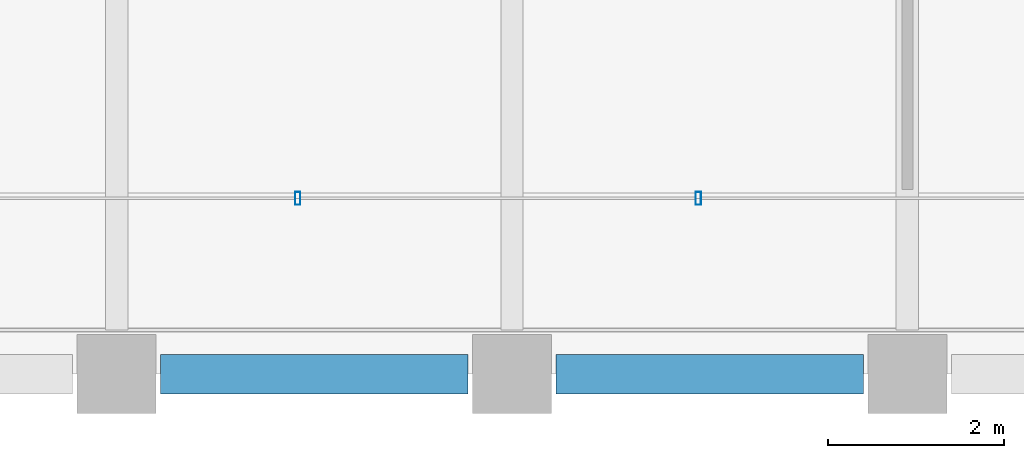
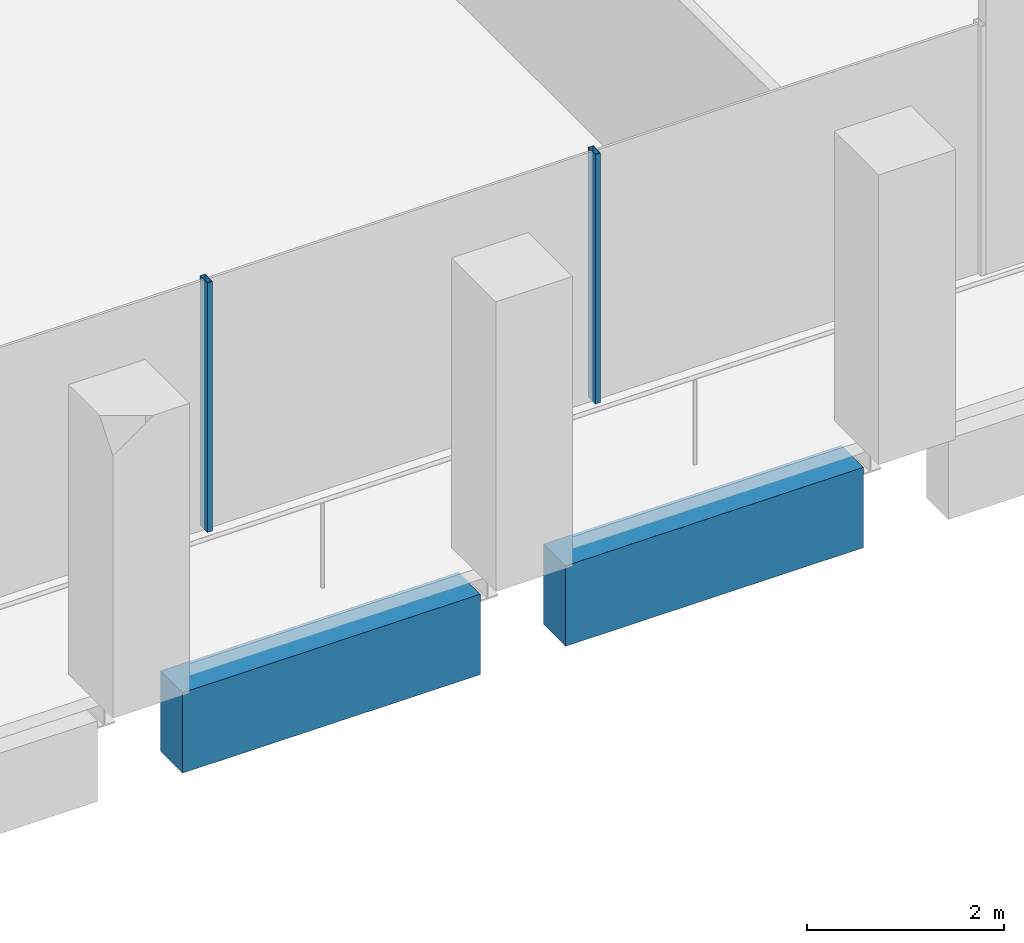
# One storey, part 3 of 44: 2 beams, 2 members, 1 element without a shape of its own.
"""IFC4 building model written with IfcOpenShell, lengths in metres."""

from ifc_helpers import new_model, si_unit, direction, frame, origin, origin_2d, place, context, subcontext, project, spatial, rectangle, hollow_rectangle, extrude, material, material_profile, profile_set, type_object, element, aggregate, save


model = new_model("IFC4")

# Units and contexts
model_context = context("Model", 3, precision=1e-05, world=origin(), true_north=direction((0.0, 1.0)))
body_context = subcontext(model_context, "Body", "Model", "MODEL_VIEW")
ifc_project = project(units=[si_unit("LENGTHUNIT", "METRE"), si_unit("AREAUNIT", "SQUARE_METRE"), si_unit("VOLUMEUNIT", "CUBIC_METRE"), si_unit("PLANEANGLEUNIT", "RADIAN"), si_unit("MASSUNIT", "GRAM", prefix="KILO")], contexts=[model_context])

# Site, building, storey
site_placement = place(None, origin())
site = spatial("IfcSite", under=ifc_project, at=site_placement, CompositionType="ELEMENT")
building_placement = place(site_placement, origin())
building = spatial("IfcBuilding", under=site, at=building_placement, Name="Altepetl Exchange Towers", CompositionType="ELEMENT")
storey_placement = place(building_placement, frame((0.0, 0.0, 143.800048828125)))
storey = spatial("IfcBuildingStorey", under=building, at=storey_placement, Name="L35", CompositionType="ELEMENT", Elevation=143.800048828125)

# Curtain wall, members
ifc_material_1 = material(Name="Aluminium 6063-T6 glazing", Category="aluminium")
curtain_wall_type = type_object("IfcCurtainWallType", Name="Loggia glazing system", PredefinedType="NOTDEFINED", material=ifc_material_1)
curtain_wall_placement = place(storey_placement, origin())
curtain_wall = element("IfcCurtainWall", 1, at=curtain_wall_placement, inside=storey, type_object=curtain_wall_type, Name="CW1 run", PredefinedType="NOTDEFINED")
ifc_material_2 = material(Name="Aluminium 6063-T6", Category="aluminium")
ifc_material_profile_1 = material_profile(ifc_material_2, hollow_rectangle(XDim=0.06005859375, YDim=0.14990234375, WallThickness=0.0029296875, at=origin_2d()), Name="Mullion 60x150 aluminium")
ifc_profile_set_1 = profile_set([ifc_material_profile_1], Name="Aluminium 6063-T6")
member_type = type_object("IfcMemberType", Name="Mullion 60x150 aluminium", PredefinedType="MULLION", material=ifc_profile_set_1)
member_1_placement = place(storey_placement, frame((38.060791015625, 29.0, 0.0)))
member_1 = element("IfcMember", 2, at=member_1_placement, type_object=member_type, Name="MU1 mullion", PredefinedType="MULLION", context=body_context, shape_type="SweptSolid", body=[
    extrude(hollow_rectangle(XDim=0.06005859375, YDim=0.14990234375, WallThickness=0.0029296875, at=origin_2d()), origin(), (0.0, 0.0, 1.0), 3.099853515625),
])
member_2_placement = place(storey_placement, frame((42.621337890625, 29.0, 0.0)))
member_2 = element("IfcMember", 3, at=member_2_placement, type_object=member_type, Name="MU1 mullion", PredefinedType="MULLION", context=body_context, shape_type="SweptSolid", body=[
    extrude(hollow_rectangle(XDim=0.06005859375, YDim=0.14990234375, WallThickness=0.0029296875, at=origin_2d()), origin(), (0.0, 0.0, 1.0), 3.099853515625),
])
aggregate(curtain_wall, [member_1, member_2])

# Beams
ifc_material_3 = material(Name="Concrete C50/60 precast with cantera blanca facing", Category="concrete")
ifc_material_profile_2 = material_profile(ifc_material_3, rectangle(XDim=0.449951171875, YDim=1.0, at=origin_2d()), Name="450 x 1000")
ifc_profile_set_2 = profile_set([ifc_material_profile_2], Name="Concrete C50/60 precast with cantera blanca facing")
beam_type = type_object("IfcBeamType", Name="Spandrel beam 450x1000 cantera blanca", PredefinedType="SPANDREL", material=ifc_profile_set_2)
for number, where, z_axis, x_axis, name in (
    (4, (36.5, 27.0, -0.650146484375), (1.0, 0.0, 0.0), (0.0, 1.0, 0.0), "sp:A:L35:001"),
    (5, (41.0, 27.0, -0.650146484375), (1.0, 0.0, 0.0), (0.0, 1.0, 0.0), "sp:A:L35:002"),
):
    element("IfcBeam", number, at=place(storey_placement, frame(where, z_axis=z_axis, x_axis=x_axis)), inside=storey, type_object=beam_type, Name=name, PredefinedType="SPANDREL", context=body_context, shape_type="SweptSolid", body=[
        extrude(rectangle(XDim=0.449951171875, YDim=1.0, at=origin_2d()), origin(), (0.0, 0.0, 1.0), 3.5),
    ])

save(model, "model.ifc")
